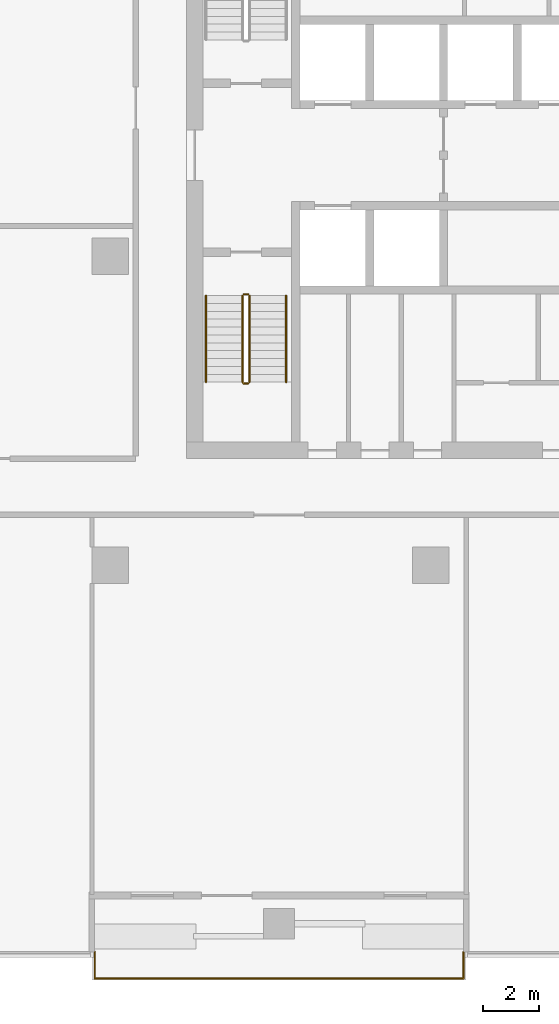
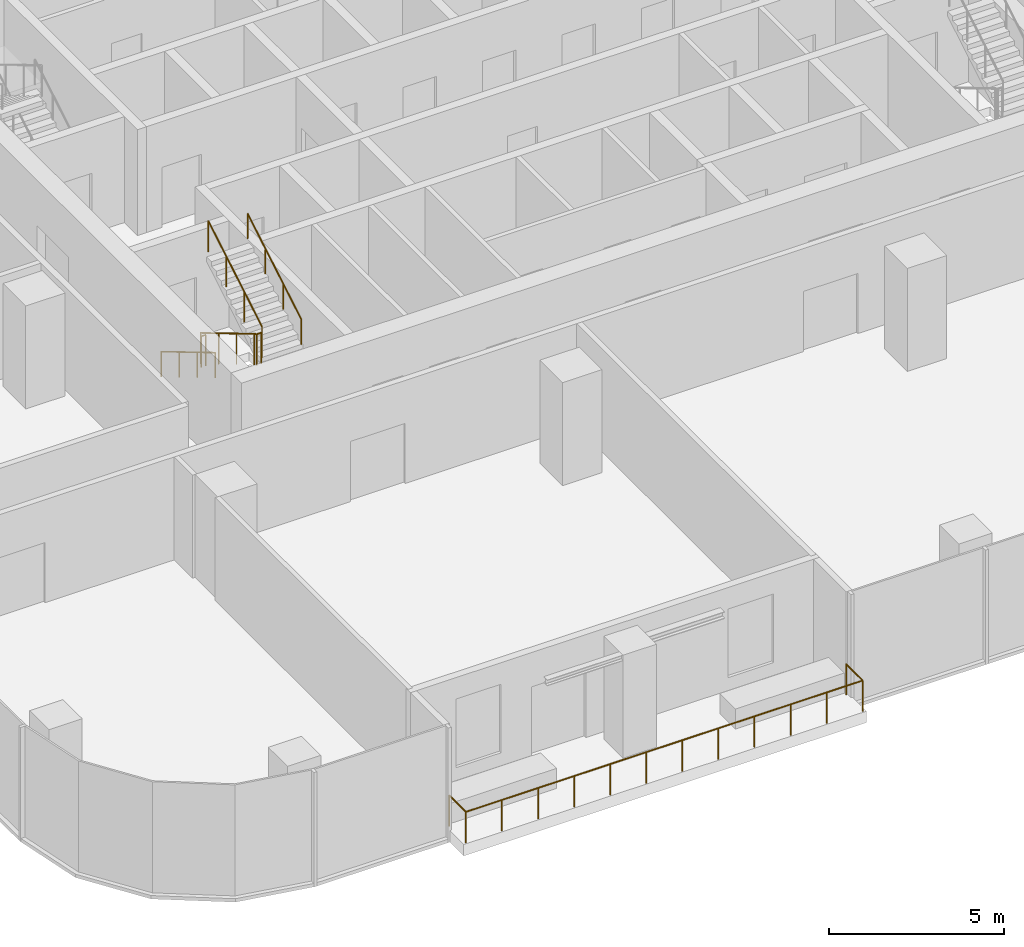
# One storey, part 11 of 14: 6 railings.
"""IFC4 building model written with IfcOpenShell, lengths in metres."""

from ifc_helpers import new_model, si_unit, direction, frame, origin, origin_2d, place, context, subcontext, project, spatial, circle, extrude, material, type_object, element, save


model = new_model("IFC4")

# Units and contexts
model_context = context("Model", 3, precision=1e-05, world=origin(), true_north=direction((0.0, 1.0)))
body_context = subcontext(model_context, "Body", "Model", "MODEL_VIEW")
ifc_project = project(units=[si_unit("LENGTHUNIT", "METRE"), si_unit("AREAUNIT", "SQUARE_METRE"), si_unit("VOLUMEUNIT", "CUBIC_METRE"), si_unit("PLANEANGLEUNIT", "RADIAN"), si_unit("MASSUNIT", "GRAM", prefix="KILO")], contexts=[model_context])

# Site, building, storey
site_placement = place(None, origin())
site = spatial("IfcSite", under=ifc_project, at=site_placement, CompositionType="ELEMENT")
building_placement = place(site_placement, origin())
building = spatial("IfcBuilding", under=site, at=building_placement, Name="Mopane Tessera Tower", CompositionType="ELEMENT")
storey_placement = place(building_placement, frame((0.0, 0.0, 227.0)))
storey = spatial("IfcBuildingStorey", under=building, at=storey_placement, Name="L48", CompositionType="ELEMENT", Elevation=227.0)

# Railings
ifc_material_1 = material(Name="Powder-coated steel balustrade", Category="steel")
railing_type_1 = type_object("IfcRailingType", Name="Escape stair guard 1100 mm", PredefinedType="GUARDRAIL", material=ifc_material_1)
railing_1_placement = place(storey_placement, frame((-12.39990234375, -1.39990234375, 0.166748046875)))
element("IfcRailing", 1, at=railing_1_placement, inside=storey, type_object=railing_type_1, Name="L48 ST1 stair guard 1", PredefinedType="GUARDRAIL", context=body_context, shape_type="SweptSolid", body=[
    extrude(circle(Radius=0.02392578125, at=origin_2d()), frame((0.0, 0.0, 1.076171875), z_axis=(0.0, -0.859308565015, 0.511457515432), x_axis=(1.0, 0.0, 0.0)), (0.0, 0.0, 1.0), 3.58447265625),
    extrude(circle(Radius=0.02392578125, at=origin_2d()), frame((0.0, -3.080078125, 2.9091796875), z_axis=(0.705375805398, -0.708833529934, 0.0), x_axis=(0.708833529934, 0.705375805398, 0.0)), (0.0, 0.0, 1.0), 0.070556640625),
    extrude(circle(Radius=0.02392578125, at=origin_2d()), frame((0.0498046875, -3.130126953125, 2.9091796875), z_axis=(1.0, 0.0, 0.0), x_axis=(0.0, 1.0, 0.0)), (0.0, 0.0, 1.0), 0.150146484375),
    extrude(circle(Radius=0.02099609375, at=origin_2d()), origin(), (0.0, 0.0, 1.0), 1.052001953125),
    extrude(circle(Radius=0.02099609375, at=origin_2d()), frame((0.0, -1.026611328125, 0.611083984375)), (0.0, 0.0, 1.0), 1.052001953125),
    extrude(circle(Radius=0.02099609375, at=origin_2d()), frame((0.0, -2.053466796875, 1.22216796875)), (0.0, 0.0, 1.0), 1.052001953125),
    extrude(circle(Radius=0.02099609375, at=origin_2d()), frame((0.0, -3.080078125, 1.833251953125)), (0.0, 0.0, 1.0), 1.052001953125),
    extrude(circle(Radius=0.02099609375, at=origin_2d()), frame((0.0498046875, -3.130126953125, 1.833251953125)), (0.0, 0.0, 1.0), 1.052001953125),
    extrude(circle(Radius=0.02099609375, at=origin_2d()), frame((0.199951171875, -3.130126953125, 1.833251953125)), (0.0, 0.0, 1.0), 1.052001953125),
])
railing_2_placement = place(storey_placement, frame((-12.14990234375, -4.47998046875, 2.166748046875)))
element("IfcRailing", 2, at=railing_2_placement, inside=storey, type_object=railing_type_1, Name="L48 ST1 stair guard 2", PredefinedType="GUARDRAIL", context=body_context, shape_type="SweptSolid", body=[
    extrude(circle(Radius=0.02392578125, at=origin_2d()), frame((0.0, 0.0, 1.076171875), z_axis=(0.0, 0.859308565015, 0.511457515432), x_axis=(-1.0, 0.0, 0.0)), (0.0, 0.0, 1.0), 3.58447265625),
    extrude(circle(Radius=0.02099609375, at=origin_2d()), origin(), (0.0, 0.0, 1.0), 1.052001953125),
    extrude(circle(Radius=0.02099609375, at=origin_2d()), frame((0.0, 1.026611328125, 0.611083984375)), (0.0, 0.0, 1.0), 1.052001953125),
    extrude(circle(Radius=0.02099609375, at=origin_2d()), frame((0.0, 2.053466796875, 1.22216796875)), (0.0, 0.0, 1.0), 1.052001953125),
    extrude(circle(Radius=0.02099609375, at=origin_2d()), frame((0.0, 3.080078125, 1.833251953125)), (0.0, 0.0, 1.0), 1.052001953125),
])
railing_3_placement = place(storey_placement, frame((-12.35009765625, -1.35009765625, 0.0)))
element("IfcRailing", 3, at=railing_3_placement, inside=storey, type_object=railing_type_1, Name="L48 ST1 stair guard 3", PredefinedType="GUARDRAIL", context=body_context, shape_type="SweptSolid", body=[
    extrude(circle(Radius=0.02392578125, at=origin_2d()), frame((0.0, 0.0, 1.076171875), z_axis=(1.0, 0.0, 0.0), x_axis=(0.0, 1.0, 0.0)), (0.0, 0.0, 1.0), 0.150146484375),
    extrude(circle(Radius=0.02099609375, at=origin_2d()), origin(), (0.0, 0.0, 1.0), 1.052001953125),
    extrude(circle(Radius=0.02099609375, at=origin_2d()), frame((0.150146484375, 0.0, 0.0)), (0.0, 0.0, 1.0), 1.052001953125),
])
ifc_material_2 = material(Name="Powder-coated steel balustrade", Category="steel")
railing_type_2 = type_object("IfcRailingType", Name="Escape stair handrail 900 mm", PredefinedType="HANDRAIL", material=ifc_material_2)
railing_4_placement = place(storey_placement, frame((-13.699951171875, -1.39990234375, 0.166748046875)))
element("IfcRailing", 4, at=railing_4_placement, inside=storey, type_object=railing_type_2, Name="L48 ST1 stair handrail 1", PredefinedType="HANDRAIL", context=body_context, shape_type="SweptSolid", body=[
    extrude(circle(Radius=0.02392578125, at=origin_2d()), frame((0.0, 0.0, 0.8759765625), z_axis=(0.0, -0.859308565015, 0.511457515432), x_axis=(1.0, 0.0, 0.0)), (0.0, 0.0, 1.0), 3.58447265625),
    extrude(circle(Radius=0.02099609375, at=origin_2d()), origin(), (0.0, 0.0, 1.0), 0.851806640625),
    extrude(circle(Radius=0.02099609375, at=origin_2d()), frame((0.0, -1.026611328125, 0.611083984375)), (0.0, 0.0, 1.0), 0.851806640625),
    extrude(circle(Radius=0.02099609375, at=origin_2d()), frame((0.0, -2.053466796875, 1.22216796875)), (0.0, 0.0, 1.0), 0.851806640625),
    extrude(circle(Radius=0.02099609375, at=origin_2d()), frame((0.0, -3.080078125, 1.833251953125)), (0.0, 0.0, 1.0), 0.851806640625),
])
railing_5_placement = place(storey_placement, frame((-10.85009765625, -4.47998046875, 2.166748046875)))
element("IfcRailing", 5, at=railing_5_placement, inside=storey, type_object=railing_type_2, Name="L48 ST1 stair handrail 2", PredefinedType="HANDRAIL", context=body_context, shape_type="SweptSolid", body=[
    extrude(circle(Radius=0.02392578125, at=origin_2d()), frame((0.0, 0.0, 0.8759765625), z_axis=(0.0, 0.859308565015, 0.511457515432), x_axis=(-1.0, 0.0, 0.0)), (0.0, 0.0, 1.0), 3.58447265625),
    extrude(circle(Radius=0.02099609375, at=origin_2d()), origin(), (0.0, 0.0, 1.0), 0.851806640625),
    extrude(circle(Radius=0.02099609375, at=origin_2d()), frame((0.0, 1.026611328125, 0.611083984375)), (0.0, 0.0, 1.0), 0.851806640625),
    extrude(circle(Radius=0.02099609375, at=origin_2d()), frame((0.0, 2.053466796875, 1.22216796875)), (0.0, 0.0, 1.0), 0.851806640625),
    extrude(circle(Radius=0.02099609375, at=origin_2d()), frame((0.0, 3.080078125, 1.833251953125)), (0.0, 0.0, 1.0), 0.851806640625),
])
ifc_material_3 = material(Name="Stainless steel S316", Category="steel")
railing_type_3 = type_object("IfcRailingType", Name="Terrace guard 1100", PredefinedType="GUARDRAIL", material=ifc_material_3)
railing_6_placement = place(storey_placement, frame((-17.659912109375, -24.75, 0.0)))
element("IfcRailing", 6, at=railing_6_placement, inside=storey, type_object=railing_type_3, Name="e:nw:L48:N1:guard", PredefinedType="GUARDRAIL", context=body_context, shape_type="SweptSolid", body=[
    extrude(circle(Radius=0.02392578125, at=origin_2d()), frame((0.0, 0.0, 1.076171875), z_axis=(0.0, -1.0, 0.0), x_axis=(1.0, 0.0, 0.0)), (0.0, 0.0, 1.0), 0.949951171875),
    extrude(circle(Radius=0.02392578125, at=origin_2d()), frame((0.0, -0.949951171875, 1.076171875), z_axis=(1.0, 0.0, 0.0), x_axis=(0.0, 1.0, 0.0)), (0.0, 0.0, 1.0), 13.119873046875),
    extrude(circle(Radius=0.02392578125, at=origin_2d()), frame((13.119873046875, -0.949951171875, 1.076171875), z_axis=(0.0, 1.0, 0.0), x_axis=(-1.0, 0.0, 0.0)), (0.0, 0.0, 1.0), 0.949951171875),
    extrude(circle(Radius=0.02099609375, at=origin_2d()), origin(), (0.0, 0.0, 1.0), 1.052001953125),
    extrude(circle(Radius=0.02099609375, at=origin_2d()), frame((0.0, -0.949951171875, 0.0)), (0.0, 0.0, 1.0), 1.052001953125),
    extrude(circle(Radius=0.02099609375, at=origin_2d()), frame((1.192626953125, -0.949951171875, 0.0)), (0.0, 0.0, 1.0), 1.052001953125),
    extrude(circle(Radius=0.02099609375, at=origin_2d()), frame((2.385498046875, -0.949951171875, 0.0)), (0.0, 0.0, 1.0), 1.052001953125),
    extrude(circle(Radius=0.02099609375, at=origin_2d()), frame((3.578125, -0.949951171875, 0.0)), (0.0, 0.0, 1.0), 1.052001953125),
    extrude(circle(Radius=0.02099609375, at=origin_2d()), frame((4.770751953125, -0.949951171875, 0.0)), (0.0, 0.0, 1.0), 1.052001953125),
    extrude(circle(Radius=0.02099609375, at=origin_2d()), frame((5.963623046875, -0.949951171875, 0.0)), (0.0, 0.0, 1.0), 1.052001953125),
    extrude(circle(Radius=0.02099609375, at=origin_2d()), frame((7.15625, -0.949951171875, 0.0)), (0.0, 0.0, 1.0), 1.052001953125),
    extrude(circle(Radius=0.02099609375, at=origin_2d()), frame((8.34912109375, -0.949951171875, 0.0)), (0.0, 0.0, 1.0), 1.052001953125),
    extrude(circle(Radius=0.02099609375, at=origin_2d()), frame((9.541748046875, -0.949951171875, 0.0)), (0.0, 0.0, 1.0), 1.052001953125),
    extrude(circle(Radius=0.02099609375, at=origin_2d()), frame((10.734375, -0.949951171875, 0.0)), (0.0, 0.0, 1.0), 1.052001953125),
    extrude(circle(Radius=0.02099609375, at=origin_2d()), frame((11.92724609375, -0.949951171875, 0.0)), (0.0, 0.0, 1.0), 1.052001953125),
    extrude(circle(Radius=0.02099609375, at=origin_2d()), frame((13.119873046875, -0.949951171875, 0.0)), (0.0, 0.0, 1.0), 1.052001953125),
    extrude(circle(Radius=0.02099609375, at=origin_2d()), frame((13.119873046875, 0.0, 0.0)), (0.0, 0.0, 1.0), 1.052001953125),
])

save(model, "model.ifc")
